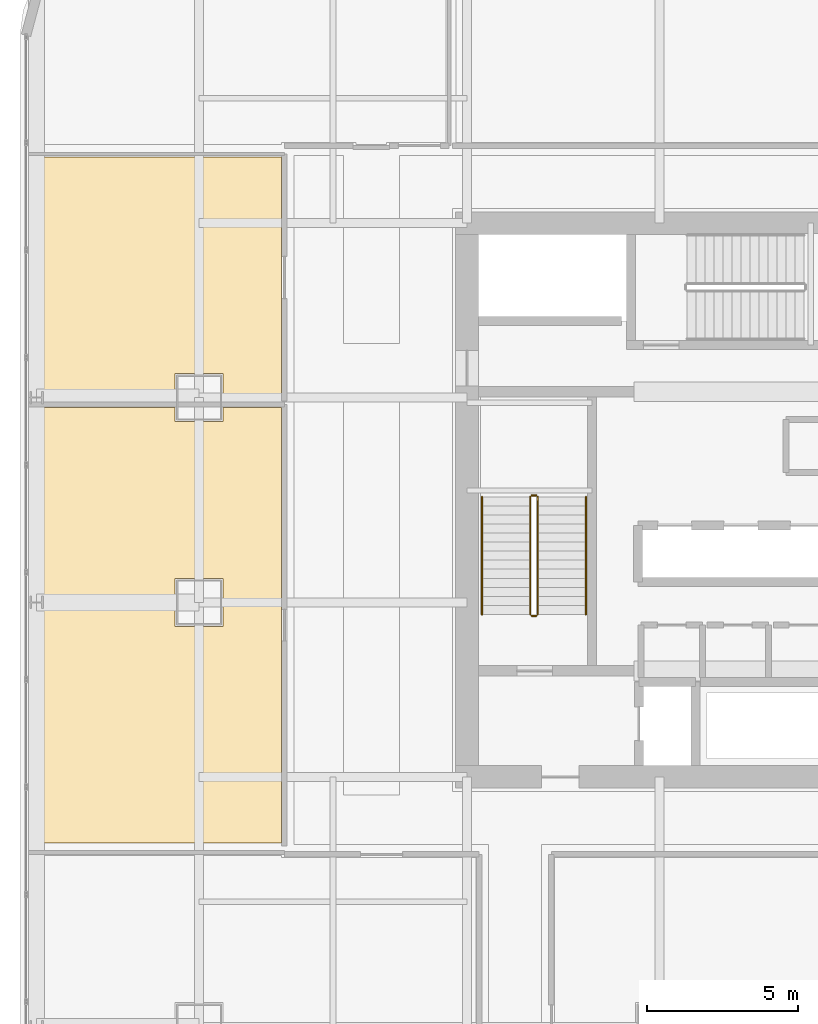
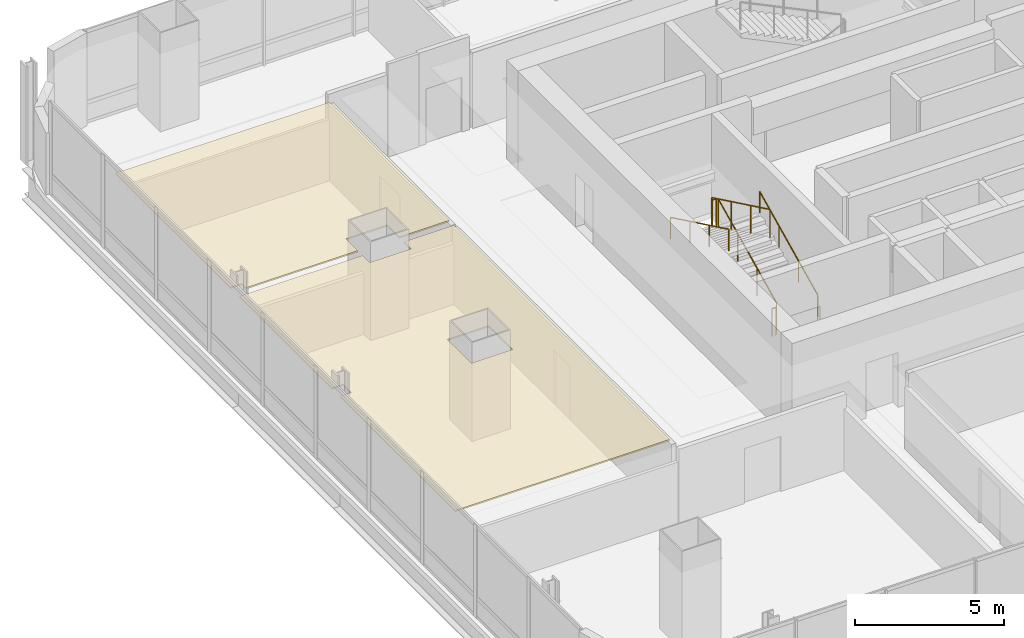
# One storey, part 32 of 37: 6 railings, 2 coverings.
"""IFC4 building model written with IfcOpenShell, lengths in metres."""

from ifc_helpers import new_model, si_unit, direction, frame, origin, origin_2d, place, context, subcontext, project, spatial, polyline, circle, outline, extrude, material, layer, layer_set, type_object, element, save


model = new_model("IFC4")

# Units and contexts
model_context = context("Model", 3, precision=1e-05, world=origin(), true_north=direction((0.0, 1.0)))
body_context = subcontext(model_context, "Body", "Model", "MODEL_VIEW")
ifc_project = project(units=[si_unit("LENGTHUNIT", "METRE"), si_unit("AREAUNIT", "SQUARE_METRE"), si_unit("VOLUMEUNIT", "CUBIC_METRE"), si_unit("PLANEANGLEUNIT", "RADIAN"), si_unit("MASSUNIT", "GRAM", prefix="KILO")], contexts=[model_context])

# Site, building, storey
site_placement = place(None, origin())
site = spatial("IfcSite", under=ifc_project, at=site_placement, CompositionType="ELEMENT")
building_placement = place(site_placement, origin())
building = spatial("IfcBuilding", under=site, at=building_placement, Name="Punatoya Terracotta Tower", CompositionType="ELEMENT")
storey_placement = place(building_placement, frame((0.0, 0.0, 44.39990234375)))
storey = spatial("IfcBuildingStorey", under=building, at=storey_placement, Name="L09", CompositionType="ELEMENT", Elevation=44.39990234375)

# Coverings
ifc_material_1 = material(Name="Acoustic Mineral Fibre Ceiling")
ifc_layer = layer(ifc_material_1, 0.06005859375)
ifc_layer_set = layer_set([ifc_layer], Name="Acoustic Mineral Fibre Ceiling")
covering_type = type_object("IfcCoveringType", Name="COV-CEIL-60", PredefinedType="CEILING", material=ifc_layer_set)
covering_1_placement = place(storey_placement, frame((0.0, 0.0, 3.2001953125)))
element("IfcCovering", 1, at=covering_1_placement, inside=storey, type_object=covering_type, Name="L09 Open-Plan Breakout Tea Pantry Acoustic Ceiling", PredefinedType="CEILING", context=body_context, shape_type="SweptSolid", body=[
    extrude(outline(polyline([(-24.669921875, -3.673095703125), (-24.669921875, -11.389892578125), (-16.3701171875, -11.389892578125), (-16.3701171875, 3.073974609375), (-18.300048828125, 3.073974609375), (-18.300048828125, 2.60009765625), (-19.89990234375, 2.60009765625), (-19.89990234375, 3.073974609375), (-24.669921875, 3.073974609375), (-24.669921875, -3.126953125), (-24.241943359375, -3.126953125), (-24.241943359375, -3.673095703125), (-24.669921875, -3.673095703125)]), holes=[polyline([(-18.300048828125, -4.199951171875), (-19.89990234375, -4.199951171875), (-19.89990234375, -2.60009765625), (-18.300048828125, -2.60009765625), (-18.300048828125, -4.199951171875)])]), origin(), (0.0, 0.0, 1.0), 0.059814453125),
])
covering_2_placement = place(storey_placement, frame((0.0, 0.0, 3.2001953125)))
element("IfcCovering", 2, at=covering_2_placement, inside=storey, type_object=covering_type, Name="L09 Open-Plan Case-Study Classroom Acoustic Ceiling", PredefinedType="CEILING", context=body_context, shape_type="SweptSolid", body=[
    extrude(outline(polyline([(-18.300048828125, 4.199951171875), (-18.300048828125, 3.39404296875), (-16.3701171875, 3.39404296875), (-16.3701171875, 11.389892578125), (-24.669921875, 11.389892578125), (-24.669921875, 3.673095703125), (-24.241943359375, 3.673095703125), (-24.241943359375, 3.39404296875), (-19.89990234375, 3.39404296875), (-19.89990234375, 4.199951171875), (-18.300048828125, 4.199951171875)])), origin(), (0.0, 0.0, 1.0), 0.059814453125),
])

# Railings
ifc_material_2 = material(Name="Steel S355", Category="steel")
railing_type_1 = type_object("IfcRailingType", Name="RLG-GRD-1150", PredefinedType="GUARDRAIL", material=ifc_material_2)
railing_1_placement = place(storey_placement, frame((-7.85009765625, -3.800048828125, 0.144775390625)))
element("IfcRailing", 3, at=railing_1_placement, inside=storey, type_object=railing_type_1, Name="L09 ST-1 stair guard 1", PredefinedType="GUARDRAIL", context=body_context, shape_type="SweptSolid", body=[
    extrude(circle(Radius=0.02392578125, at=origin_2d()), frame((0.0, 0.0, 1.1259765625), z_axis=(0.0, 0.900773802044, 0.434288564841), x_axis=(-1.0, 0.0, 0.0)), (0.0, 0.0, 1.0), 4.329833984375),
    extrude(circle(Radius=0.02099609375, at=origin_2d()), origin(), (0.0, 0.0, 1.0), 1.101806640625),
    extrude(circle(Radius=0.02099609375, at=origin_2d()), frame((0.0, 1.300048828125, 0.626708984375)), (0.0, 0.0, 1.0), 1.101806640625),
    extrude(circle(Radius=0.02099609375, at=origin_2d()), frame((0.0, 2.60009765625, 1.253662109375)), (0.0, 0.0, 1.0), 1.101806640625),
    extrude(circle(Radius=0.02099609375, at=origin_2d()), frame((0.0, 3.900146484375, 1.88037109375)), (0.0, 0.0, 1.0), 1.101806640625),
])
railing_2_placement = place(storey_placement, frame((-7.89990234375, 0.14990234375, 2.025146484375)))
element("IfcRailing", 4, at=railing_2_placement, inside=storey, type_object=railing_type_1, Name="L09 ST-1 stair guard 2", PredefinedType="GUARDRAIL", context=body_context, shape_type="SweptSolid", body=[
    extrude(circle(Radius=0.02392578125, at=origin_2d()), frame((0.0, 0.0, 1.1259765625), z_axis=(-1.0, 0.0, 0.0), x_axis=(0.0, -1.0, 0.0)), (0.0, 0.0, 1.0), 0.150146484375),
    extrude(circle(Radius=0.02099609375, at=origin_2d()), origin(), (0.0, 0.0, 1.0), 1.101806640625),
    extrude(circle(Radius=0.02099609375, at=origin_2d()), frame((-0.150146484375, 0.0, 0.0)), (0.0, 0.0, 1.0), 1.101806640625),
])
railing_3_placement = place(storey_placement, frame((-8.10009765625, 0.10009765625, 2.169677734375)))
element("IfcRailing", 5, at=railing_3_placement, inside=storey, type_object=railing_type_1, Name="L09 ST-1 stair guard 3", PredefinedType="GUARDRAIL", context=body_context, shape_type="SweptSolid", body=[
    extrude(circle(Radius=0.02392578125, at=origin_2d()), frame((0.0, 0.0, 1.1259765625), z_axis=(0.0, -0.900773802044, 0.434288564841), x_axis=(1.0, 0.0, 0.0)), (0.0, 0.0, 1.0), 4.329833984375),
    extrude(circle(Radius=0.02099609375, at=origin_2d()), origin(), (0.0, 0.0, 1.0), 1.101806640625),
    extrude(circle(Radius=0.02099609375, at=origin_2d()), frame((0.0, -1.300048828125, 0.626708984375)), (0.0, 0.0, 1.0), 1.101806640625),
    extrude(circle(Radius=0.02099609375, at=origin_2d()), frame((0.0, -2.60009765625, 1.253662109375)), (0.0, 0.0, 1.0), 1.101806640625),
    extrude(circle(Radius=0.02099609375, at=origin_2d()), frame((0.0, -3.900146484375, 1.88037109375)), (0.0, 0.0, 1.0), 1.101806640625),
])
railing_4_placement = place(storey_placement, frame((-7.89990234375, -3.85009765625, 0.0)))
element("IfcRailing", 6, at=railing_4_placement, inside=storey, type_object=railing_type_1, Name="L09 ST-1 stair guard 4", PredefinedType="GUARDRAIL", context=body_context, shape_type="SweptSolid", body=[
    extrude(circle(Radius=0.02392578125, at=origin_2d()), frame((0.0, 0.0, 1.1259765625), z_axis=(-1.0, 0.0, 0.0), x_axis=(0.0, -1.0, 0.0)), (0.0, 0.0, 1.0), 0.150146484375),
    extrude(circle(Radius=0.02099609375, at=origin_2d()), origin(), (0.0, 0.0, 1.0), 1.101806640625),
    extrude(circle(Radius=0.02099609375, at=origin_2d()), frame((-0.150146484375, 0.0, 0.0)), (0.0, 0.0, 1.0), 1.101806640625),
])
railing_type_2 = type_object("IfcRailingType", Name="RLG-HND-900", PredefinedType="HANDRAIL", material=ifc_material_2)
railing_5_placement = place(storey_placement, frame((-6.25, -3.800048828125, 0.144775390625)))
element("IfcRailing", 7, at=railing_5_placement, inside=storey, type_object=railing_type_2, Name="L09 ST-1 stair handrail 1", PredefinedType="HANDRAIL", context=body_context, shape_type="SweptSolid", body=[
    extrude(circle(Radius=0.02392578125, at=origin_2d()), frame((0.0, 0.0, 0.8759765625), z_axis=(0.0, 0.900773802044, 0.434288564841), x_axis=(-1.0, 0.0, 0.0)), (0.0, 0.0, 1.0), 4.329833984375),
    extrude(circle(Radius=0.02099609375, at=origin_2d()), origin(), (0.0, 0.0, 1.0), 0.851806640625),
    extrude(circle(Radius=0.02099609375, at=origin_2d()), frame((0.0, 1.300048828125, 0.626708984375)), (0.0, 0.0, 1.0), 0.851806640625),
    extrude(circle(Radius=0.02099609375, at=origin_2d()), frame((0.0, 2.60009765625, 1.253662109375)), (0.0, 0.0, 1.0), 0.851806640625),
    extrude(circle(Radius=0.02099609375, at=origin_2d()), frame((0.0, 3.900146484375, 1.88037109375)), (0.0, 0.0, 1.0), 0.851806640625),
])
railing_6_placement = place(storey_placement, frame((-9.699951171875, 0.10009765625, 2.169677734375)))
element("IfcRailing", 8, at=railing_6_placement, inside=storey, type_object=railing_type_2, Name="L09 ST-1 stair handrail 2", PredefinedType="HANDRAIL", context=body_context, shape_type="SweptSolid", body=[
    extrude(circle(Radius=0.02392578125, at=origin_2d()), frame((0.0, 0.0, 0.8759765625), z_axis=(0.0, -0.900773802044, 0.434288564841), x_axis=(1.0, 0.0, 0.0)), (0.0, 0.0, 1.0), 4.329833984375),
    extrude(circle(Radius=0.02099609375, at=origin_2d()), origin(), (0.0, 0.0, 1.0), 0.851806640625),
    extrude(circle(Radius=0.02099609375, at=origin_2d()), frame((0.0, -1.300048828125, 0.626708984375)), (0.0, 0.0, 1.0), 0.851806640625),
    extrude(circle(Radius=0.02099609375, at=origin_2d()), frame((0.0, -2.60009765625, 1.253662109375)), (0.0, 0.0, 1.0), 0.851806640625),
    extrude(circle(Radius=0.02099609375, at=origin_2d()), frame((0.0, -3.900146484375, 1.88037109375)), (0.0, 0.0, 1.0), 0.851806640625),
])

save(model, "model.ifc")
